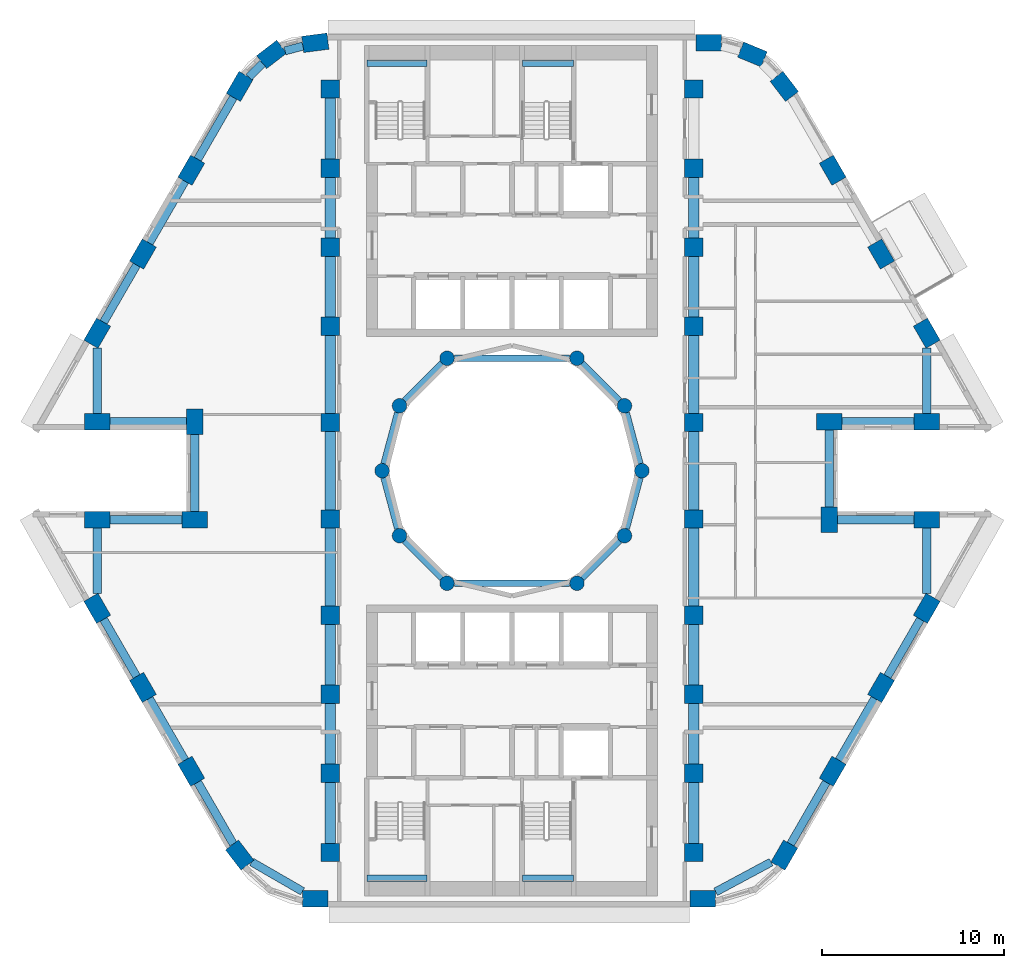
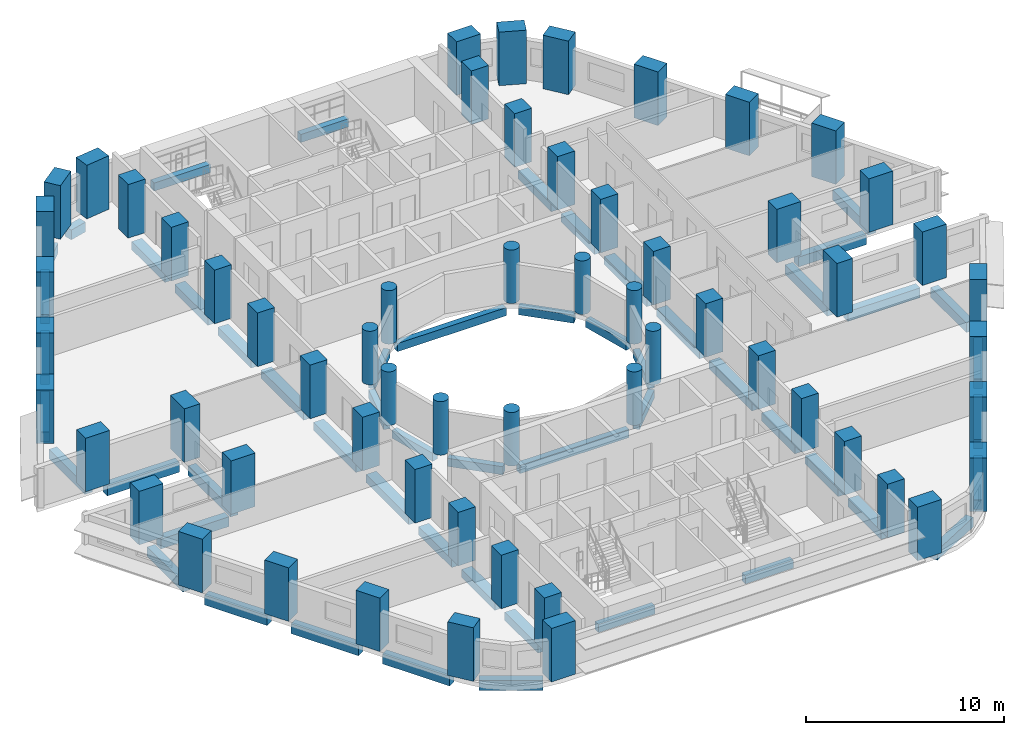
# One storey, part 1 of 13: 60 columns, 54 beams.
"""IFC4 building model written with IfcOpenShell, lengths in metres."""

from ifc_helpers import new_model, si_unit, direction, frame, origin, origin_2d, place, context, subcontext, project, spatial, rectangle, circle, extrude, material, material_profile, profile_set, type_object, element, save


model = new_model("IFC4")

# Units and contexts
model_context = context("Model", 3, precision=1e-05, world=origin(), true_north=direction((0.0, 1.0)))
body_context = subcontext(model_context, "Body", "Model", "MODEL_VIEW")
ifc_project = project(units=[si_unit("LENGTHUNIT", "METRE"), si_unit("AREAUNIT", "SQUARE_METRE"), si_unit("VOLUMEUNIT", "CUBIC_METRE"), si_unit("PLANEANGLEUNIT", "RADIAN"), si_unit("MASSUNIT", "GRAM", prefix="KILO")], contexts=[model_context])

# Site, building, storey
site_placement = place(None, origin())
site = spatial("IfcSite", under=ifc_project, at=site_placement, CompositionType="ELEMENT")
building_placement = place(site_placement, origin())
building = spatial("IfcBuilding", under=site, at=building_placement, Name="Nakaniwa Court", CompositionType="ELEMENT")
storey_placement = place(building_placement, frame((0.0, 0.0, 81.0)))
storey = spatial("IfcBuildingStorey", under=building, at=storey_placement, Name="L20", CompositionType="ELEMENT", Elevation=81.0)

# Columns
ifc_material = material(Name="Concrete C80/100", Category="concrete")
ifc_material_profile_1 = material_profile(ifc_material, rectangle(XDim=1.0, YDim=1.0, at=origin_2d()), Name="Concrete C80/100 RC 1000x1000 spine column")
ifc_profile_set_1 = profile_set([ifc_material_profile_1], Name="Concrete C80/100")
column_type_1 = type_object("IfcColumnType", Name="Concrete C80/100 RC 1000x1000 spine column", PredefinedType="COLUMN", material=ifc_profile_set_1)
for number, where, z_axis, x_axis, name in (
    (1, (90.0, 59.0, 0.0), (0.0, 0.0, 1.0), (0.0, 1.0, 0.0), "COLUMN CS-01"),
    (2, (90.0, 63.35009765625, 0.0), (0.0, 0.0, 1.0), (0.0, 1.0, 0.0), "COLUMN CS-02"),
    (3, (90.0, 67.699951171875, 0.0), (0.0, 0.0, 1.0), (0.0, 1.0, 0.0), "COLUMN CS-03"),
    (4, (90.0, 72.050048828125, 0.0), (0.0, 0.0, 1.0), (0.0, 1.0, 0.0), "COLUMN CS-04"),
    (5, (90.0, 77.35009765625, 0.0), (0.0, 0.0, 1.0), (0.0, 1.0, 0.0), "COLUMN CS-05"),
    (6, (90.0, 82.64990234375, 0.0), (0.0, 0.0, 1.0), (0.0, 1.0, 0.0), "COLUMN CS-06"),
    (7, (90.0, 87.949951171875, 0.0), (0.0, 0.0, 1.0), (0.0, 1.0, 0.0), "COLUMN CS-07"),
    (8, (90.0, 92.300048828125, 0.0), (0.0, 0.0, 1.0), (0.0, 1.0, 0.0), "COLUMN CS-08"),
    (9, (90.0, 96.64990234375, 0.0), (0.0, 0.0, 1.0), (0.0, 1.0, 0.0), "COLUMN CS-09"),
    (10, (90.0, 101.0, 0.0), (0.0, 0.0, 1.0), (0.0, 1.0, 0.0), "COLUMN CS-10"),
    (11, (70.0, 101.0, 0.0), (0.0, 0.0, 1.0), (0.0, -1.0, 0.0), "COLUMN CS-11"),
    (12, (70.0, 96.64990234375, 0.0), (0.0, 0.0, 1.0), (0.0, -1.0, 0.0), "COLUMN CS-12"),
    (13, (70.0, 92.300048828125, 0.0), (0.0, 0.0, 1.0), (0.0, -1.0, 0.0), "COLUMN CS-13"),
    (14, (70.0, 87.949951171875, 0.0), (0.0, 0.0, 1.0), (0.0, -1.0, 0.0), "COLUMN CS-14"),
    (15, (70.0, 82.64990234375, 0.0), (0.0, 0.0, 1.0), (0.0, -1.0, 0.0), "COLUMN CS-15"),
    (16, (70.0, 77.35009765625, 0.0), (0.0, 0.0, 1.0), (0.0, -1.0, 0.0), "COLUMN CS-16"),
    (17, (70.0, 72.050048828125, 0.0), (0.0, 0.0, 1.0), (0.0, -1.0, 0.0), "COLUMN CS-17"),
    (18, (70.0, 67.699951171875, 0.0), (0.0, 0.0, 1.0), (0.0, -1.0, 0.0), "COLUMN CS-18"),
    (19, (70.0, 63.35009765625, 0.0), (0.0, 0.0, 1.0), (0.0, -1.0, 0.0), "COLUMN CS-19"),
    (20, (70.0, 59.0, 0.0), (0.0, 0.0, 1.0), (0.0, -1.0, 0.0), "COLUMN CS-20"),
):
    element("IfcColumn", number, at=place(storey_placement, frame(where, z_axis=z_axis, x_axis=x_axis)), inside=storey, type_object=column_type_1, Name=name, PredefinedType="COLUMN", context=body_context, shape_type="SweptSolid", body=[
        extrude(rectangle(XDim=1.0, YDim=1.0, at=origin_2d()), origin(), (0.0, 0.0, 1.0), 3.300048828125),
    ])
ifc_material_profile_2 = material_profile(ifc_material, rectangle(XDim=1.39990234375, YDim=0.89990234375, at=origin_2d()), Name="Concrete C80/100 RC 1400x900 perimeter column")
ifc_profile_set_2 = profile_set([ifc_material_profile_2], Name="Concrete C80/100")
column_type_2 = type_object("IfcColumnType", Name="Concrete C80/100 RC 1400x900 perimeter column", PredefinedType="COLUMN", material=ifc_profile_set_2)
for number, where, z_axis, x_axis, name in (
    (21, (69.17529296875, 103.550048828125, 0.0), (0.0, 0.0, 1.0), (-0.991442583111, -0.130543496177, 0.0), "COLUMN CO-01"),
    (22, (66.772705078125, 102.91015625, 0.0), (0.0, 0.0, 1.0), (-0.793363965062, -0.608747582288, 0.0), "COLUMN CO-02"),
    (23, (65.017578125, 101.1494140625, 0.0), (0.0, 0.0, 1.0), (-0.5, -0.866025403784, 0.0), "COLUMN CO-03"),
    (24, (62.3544921875, 96.537109375, 0.0), (0.0, 0.0, 1.0), (-0.5, -0.866025403784, 0.0), "COLUMN CO-04"),
    (25, (59.691650390625, 91.9248046875, 0.0), (0.0, 0.0, 1.0), (-0.5, -0.866025403784, 0.0), "COLUMN CO-05"),
    (26, (57.177001953125, 87.569580078125, 0.0), (0.0, 0.0, 1.0), (-0.5, -0.866025403784, 0.0), "COLUMN CO-06"),
    (27, (57.177001953125, 82.699951171875, 0.0), (0.0, 0.0, 1.0), (1.0, 0.0, 0.0), "COLUMN CO-08"),
    (28, (62.54150390625, 82.699951171875, 0.0), (0.0, 0.0, 1.0), (0.0, -1.0, 0.0), "COLUMN CO-09"),
    (29, (62.54150390625, 77.300048828125, 0.0), (0.0, 0.0, 1.0), (-1.0, 0.0, 0.0), "COLUMN CO-10"),
    (30, (57.177001953125, 77.300048828125, 0.0), (0.0, 0.0, 1.0), (-1.0, 0.0, 0.0), "COLUMN CO-11"),
    (31, (57.177001953125, 72.430419921875, 0.0), (0.0, 0.0, 1.0), (0.5, -0.866025403784, 0.0), "COLUMN CO-13"),
    (32, (59.691650390625, 68.0751953125, 0.0), (0.0, 0.0, 1.0), (0.5, -0.866025403784, 0.0), "COLUMN CO-14"),
    (33, (62.3544921875, 63.462890625, 0.0), (0.0, 0.0, 1.0), (0.5, -0.866025403784, 0.0), "COLUMN CO-15"),
    (34, (65.017578125, 58.8505859375, 0.0), (0.0, 0.0, 1.0), (0.608761429009, -0.793353340291, 0.0), "COLUMN CO-16"),
    (35, (69.17529296875, 56.449951171875, 0.0), (0.0, 0.0, 1.0), (1.0, 0.0, 0.0), "COLUMN CO-17"),
    (36, (90.507080078125, 56.449951171875, 0.0), (0.0, 0.0, 1.0), (1.0, 0.0, 0.0), "COLUMN CO-21"),
    (37, (94.982421875, 58.8505859375, 0.0), (0.0, 0.0, 1.0), (0.5, 0.866025403784, 0.0), "COLUMN CO-22"),
    (38, (97.6455078125, 63.462890625, 0.0), (0.0, 0.0, 1.0), (0.5, 0.866025403784, 0.0), "COLUMN CO-23"),
    (39, (100.308349609375, 68.0751953125, 0.0), (0.0, 0.0, 1.0), (0.5, 0.866025403784, 0.0), "COLUMN CO-24"),
    (40, (102.822998046875, 72.430419921875, 0.0), (0.0, 0.0, 1.0), (0.5, 0.866025403784, 0.0), "COLUMN CO-25"),
    (41, (102.822998046875, 77.300048828125, 0.0), (0.0, 0.0, 1.0), (-1.0, 0.0, 0.0), "COLUMN CO-27"),
    (42, (97.45849609375, 77.300048828125, 0.0), (0.0, 0.0, 1.0), (0.0, 1.0, 0.0), "COLUMN CO-28"),
    (43, (97.45849609375, 82.699951171875, 0.0), (0.0, 0.0, 1.0), (1.0, 0.0, 0.0), "COLUMN CO-29"),
    (44, (102.822998046875, 82.699951171875, 0.0), (0.0, 0.0, 1.0), (1.0, 0.0, 0.0), "COLUMN CO-30"),
    (45, (102.822998046875, 87.569580078125, 0.0), (0.0, 0.0, 1.0), (-0.5, 0.866025403784, 0.0), "COLUMN CO-32"),
    (46, (100.308349609375, 91.9248046875, 0.0), (0.0, 0.0, 1.0), (-0.5, 0.866025403784, 0.0), "COLUMN CO-33"),
    (47, (97.6455078125, 96.537109375, 0.0), (0.0, 0.0, 1.0), (-0.5, 0.866025403784, 0.0), "COLUMN CO-34"),
    (48, (94.982421875, 101.1494140625, 0.0), (0.0, 0.0, 1.0), (-0.608761429009, 0.793353340291, 0.0), "COLUMN CO-35"),
    (49, (93.227294921875, 102.91015625, 0.0), (0.0, 0.0, 1.0), (-0.923879532511, 0.382683432365, 0.0), "COLUMN CO-36"),
    (50, (90.82470703125, 103.550048828125, 0.0), (0.0, 0.0, 1.0), (-1.0, 0.0, 0.0), "COLUMN CO-37"),
):
    element("IfcColumn", number, at=place(storey_placement, frame(where, z_axis=z_axis, x_axis=x_axis)), inside=storey, type_object=column_type_2, Name=name, PredefinedType="COLUMN", context=body_context, shape_type="SweptSolid", body=[
        extrude(rectangle(XDim=1.39990234375, YDim=0.89990234375, at=origin_2d()), origin(), (0.0, 0.0, 1.0), 3.300048828125),
    ])
ifc_material_profile_3 = material_profile(ifc_material, circle(Radius=0.39990234375, at=origin_2d()), Name="Concrete C80/100 RC D800 inner ring column")
ifc_profile_set_3 = profile_set([ifc_material_profile_3], Name="Concrete C80/100")
column_type_3 = type_object("IfcColumnType", Name="Concrete C80/100 RC D800 inner ring column", PredefinedType="COLUMN", material=ifc_profile_set_3)
for number, where, z_axis, x_axis, name in (
    (51, (87.14990234375, 80.0, 0.0), (0.0, 0.0, 1.0), (0.0, 1.0, 0.0), "COLUMN CI-01"),
    (52, (86.192138671875, 83.574951171875, 0.0), (0.0, 0.0, 1.0), (-0.5, 0.866025403784, 0.0), "COLUMN CI-02"),
    (53, (83.574951171875, 86.192138671875, 0.0), (0.0, 0.0, 1.0), (-0.866025403784, 0.5, 0.0), "COLUMN CI-03"),
    (54, (76.425048828125, 86.192138671875, 0.0), (0.0, 0.0, 1.0), (-0.866025403784, -0.5, 0.0), "COLUMN CI-05"),
    (55, (73.807861328125, 83.574951171875, 0.0), (0.0, 0.0, 1.0), (-0.5, -0.866025403784, 0.0), "COLUMN CI-06"),
    (56, (72.85009765625, 80.0, 0.0), (0.0, 0.0, 1.0), (0.0, -1.0, 0.0), "COLUMN CI-07"),
    (57, (73.807861328125, 76.425048828125, 0.0), (0.0, 0.0, 1.0), (0.5, -0.866025403784, 0.0), "COLUMN CI-08"),
    (58, (76.425048828125, 73.807861328125, 0.0), (0.0, 0.0, 1.0), (0.866025403784, -0.5, 0.0), "COLUMN CI-09"),
    (59, (83.574951171875, 73.807861328125, 0.0), (0.0, 0.0, 1.0), (0.866025403784, 0.5, 0.0), "COLUMN CI-11"),
    (60, (86.192138671875, 76.425048828125, 0.0), (0.0, 0.0, 1.0), (0.5, 0.866025403784, 0.0), "COLUMN CI-12"),
):
    element("IfcColumn", number, at=place(storey_placement, frame(where, z_axis=z_axis, x_axis=x_axis)), inside=storey, type_object=column_type_3, Name=name, PredefinedType="COLUMN", context=body_context, shape_type="SweptSolid", body=[
        extrude(circle(Radius=0.39990234375, at=origin_2d()), origin(), (0.0, 0.0, 1.0), 3.300048828125),
    ])

# Beams
ifc_material_profile_4 = material_profile(ifc_material, rectangle(XDim=0.35009765625, YDim=0.5, at=origin_2d()), Name="Concrete C80/100 RC 350x500 landing ledge beam")
ifc_profile_set_4 = profile_set([ifc_material_profile_4], Name="Concrete C80/100")
beam_type_1 = type_object("IfcBeamType", Name="Concrete C80/100 RC 350x500 landing ledge beam", PredefinedType="BEAM", material=ifc_profile_set_4)
beam_1_placement = place(storey_placement, frame((72.02490234375, 102.425048828125, 1.199951171875), z_axis=(1.0, 0.0, 0.0), x_axis=(0.0, 1.0, 0.0)))
element("IfcBeam", 61, at=beam_1_placement, inside=storey, type_object=beam_type_1, Name="LANDING LEDGE BEAM", PredefinedType="BEAM", context=body_context, shape_type="SweptSolid", body=[
    extrude(rectangle(XDim=0.35009765625, YDim=0.5, at=origin_2d()), origin(), (0.0, 0.0, 1.0), 3.300048828125),
])
beam_2_placement = place(storey_placement, frame((80.574951171875, 102.425048828125, 1.199951171875), z_axis=(1.0, 0.0, 0.0), x_axis=(0.0, 1.0, 0.0)))
element("IfcBeam", 62, at=beam_2_placement, inside=storey, type_object=beam_type_1, Name="LANDING LEDGE BEAM", PredefinedType="BEAM", context=body_context, shape_type="SweptSolid", body=[
    extrude(rectangle(XDim=0.35009765625, YDim=0.5, at=origin_2d()), origin(), (0.0, 0.0, 1.0), 2.800048828125),
])
beam_3_placement = place(storey_placement, frame((72.02490234375, 57.574951171875, 1.199951171875), z_axis=(1.0, 0.0, 0.0), x_axis=(0.0, 1.0, 0.0)))
element("IfcBeam", 63, at=beam_3_placement, inside=storey, type_object=beam_type_1, Name="LANDING LEDGE BEAM", PredefinedType="BEAM", context=body_context, shape_type="SweptSolid", body=[
    extrude(rectangle(XDim=0.35009765625, YDim=0.5, at=origin_2d()), origin(), (0.0, 0.0, 1.0), 3.300048828125),
])
beam_4_placement = place(storey_placement, frame((80.574951171875, 57.574951171875, 1.199951171875), z_axis=(1.0, 0.0, 0.0), x_axis=(0.0, 1.0, 0.0)))
element("IfcBeam", 64, at=beam_4_placement, inside=storey, type_object=beam_type_1, Name="LANDING LEDGE BEAM", PredefinedType="BEAM", context=body_context, shape_type="SweptSolid", body=[
    extrude(rectangle(XDim=0.35009765625, YDim=0.5, at=origin_2d()), origin(), (0.0, 0.0, 1.0), 2.800048828125),
])
ifc_material_profile_5 = material_profile(ifc_material, rectangle(XDim=0.35009765625, YDim=0.5, at=origin_2d()), Name="Concrete C80/100 RC 350x500 ring beam")
ifc_profile_set_5 = profile_set([ifc_material_profile_5], Name="Concrete C80/100")
beam_type_2 = type_object("IfcBeamType", Name="Concrete C80/100 RC 350x500 ring beam", PredefinedType="BEAM", material=ifc_profile_set_5)
beam_5_placement = place(storey_placement, frame((87.04638671875, 80.386474609375, -0.52490234375), z_axis=(-0.258778150207, 0.965936783115, 0.0), x_axis=(-0.965936783115, -0.258778150207, 0.0)))
element("IfcBeam", 65, at=beam_5_placement, inside=storey, type_object=beam_type_2, Name="RING BEAM", PredefinedType="BEAM", context=body_context, shape_type="SweptSolid", body=[
    extrude(rectangle(XDim=0.35009765625, YDim=0.5, at=origin_2d()), origin(), (0.0, 0.0, 1.0), 2.901123046875),
])
beam_6_placement = place(storey_placement, frame((85.9091796875, 83.85791015625, -0.52490234375), z_axis=(-0.707106781187, 0.707106781187, 0.0), x_axis=(-0.707106781187, -0.707106781187, 0.0)))
element("IfcBeam", 66, at=beam_6_placement, inside=storey, type_object=beam_type_2, Name="RING BEAM", PredefinedType="BEAM", context=body_context, shape_type="SweptSolid", body=[
    extrude(rectangle(XDim=0.35009765625, YDim=0.5, at=origin_2d()), origin(), (0.0, 0.0, 1.0), 2.90087890625),
])
beam_7_placement = place(storey_placement, frame((83.175048828125, 86.192138671875, -0.52490234375), z_axis=(-1.0, 0.0, 0.0), x_axis=(0.0, -1.0, 0.0)))
element("IfcBeam", 67, at=beam_7_placement, inside=storey, type_object=beam_type_2, Name="RING BEAM", PredefinedType="BEAM", context=body_context, shape_type="SweptSolid", body=[
    extrude(rectangle(XDim=0.35009765625, YDim=0.5, at=origin_2d()), origin(), (0.0, 0.0, 1.0), 6.35009765625),
])
beam_8_placement = place(storey_placement, frame((76.14208984375, 85.9091796875, -0.52490234375), z_axis=(-0.707106781187, -0.707106781187, 0.0), x_axis=(0.707106781187, -0.707106781187, 0.0)))
element("IfcBeam", 68, at=beam_8_placement, inside=storey, type_object=beam_type_2, Name="RING BEAM", PredefinedType="BEAM", context=body_context, shape_type="SweptSolid", body=[
    extrude(rectangle(XDim=0.35009765625, YDim=0.5, at=origin_2d()), origin(), (0.0, 0.0, 1.0), 2.90087890625),
])
for number, where, z_axis, x_axis, name in (
    (69, (73.704345703125, 83.188720703125, -0.52490234375), (-0.258778150207, -0.965936783115, 0.0), (0.965936783115, -0.258778150207, 0.0), "RING BEAM"),
    (70, (72.95361328125, 79.613525390625, -0.52490234375), (0.258778150207, -0.965936783115, 0.0), (0.965936783115, 0.258778150207, 0.0), "RING BEAM"),
):
    element("IfcBeam", number, at=place(storey_placement, frame(where, z_axis=z_axis, x_axis=x_axis)), inside=storey, type_object=beam_type_2, Name=name, PredefinedType="BEAM", context=body_context, shape_type="SweptSolid", body=[
        extrude(rectangle(XDim=0.35009765625, YDim=0.5, at=origin_2d()), origin(), (0.0, 0.0, 1.0), 2.901123046875),
    ])
beam_9_placement = place(storey_placement, frame((74.0908203125, 76.14208984375, -0.52490234375), z_axis=(0.707106781187, -0.707106781187, 0.0), x_axis=(0.707106781187, 0.707106781187, 0.0)))
element("IfcBeam", 71, at=beam_9_placement, inside=storey, type_object=beam_type_2, Name="RING BEAM", PredefinedType="BEAM", context=body_context, shape_type="SweptSolid", body=[
    extrude(rectangle(XDim=0.35009765625, YDim=0.5, at=origin_2d()), origin(), (0.0, 0.0, 1.0), 2.90087890625),
])
beam_10_placement = place(storey_placement, frame((76.824951171875, 73.807861328125, -0.52490234375), z_axis=(1.0, 0.0, 0.0), x_axis=(0.0, 1.0, 0.0)))
element("IfcBeam", 72, at=beam_10_placement, inside=storey, type_object=beam_type_2, Name="RING BEAM", PredefinedType="BEAM", context=body_context, shape_type="SweptSolid", body=[
    extrude(rectangle(XDim=0.35009765625, YDim=0.5, at=origin_2d()), origin(), (0.0, 0.0, 1.0), 6.35009765625),
])
beam_11_placement = place(storey_placement, frame((83.85791015625, 74.0908203125, -0.52490234375), z_axis=(0.707106781187, 0.707106781187, 0.0), x_axis=(-0.707106781187, 0.707106781187, 0.0)))
element("IfcBeam", 73, at=beam_11_placement, inside=storey, type_object=beam_type_2, Name="RING BEAM", PredefinedType="BEAM", context=body_context, shape_type="SweptSolid", body=[
    extrude(rectangle(XDim=0.35009765625, YDim=0.5, at=origin_2d()), origin(), (0.0, 0.0, 1.0), 2.90087890625),
])
beam_12_placement = place(storey_placement, frame((86.295654296875, 76.811279296875, -0.52490234375), z_axis=(0.258778150207, 0.965936783115, 0.0), x_axis=(-0.965936783115, 0.258778150207, 0.0)))
element("IfcBeam", 74, at=beam_12_placement, inside=storey, type_object=beam_type_2, Name="RING BEAM", PredefinedType="BEAM", context=body_context, shape_type="SweptSolid", body=[
    extrude(rectangle(XDim=0.35009765625, YDim=0.5, at=origin_2d()), origin(), (0.0, 0.0, 1.0), 2.901123046875),
])
ifc_material_profile_6 = material_profile(ifc_material, rectangle(XDim=0.449951171875, YDim=0.60009765625, at=origin_2d()), Name="Concrete C80/100 RC 450x600 spandrel beam")
ifc_profile_set_6 = profile_set([ifc_material_profile_6], Name="Concrete C80/100")
beam_type_3 = type_object("IfcBeamType", Name="Concrete C80/100 RC 450x600 spandrel beam", PredefinedType="BEAM", material=ifc_profile_set_6)
beam_13_placement = place(storey_placement, frame((68.4931640625, 103.368408203125, -0.574951171875), z_axis=(-0.966290412053, -0.257454538851, 0.0), x_axis=(0.257454538851, -0.966290412053, 0.0)))
element("IfcBeam", 75, at=beam_13_placement, inside=storey, type_object=beam_type_3, Name="SPANDREL BEAM", PredefinedType="BEAM", context=body_context, shape_type="SweptSolid", body=[
    extrude(rectangle(XDim=0.449951171875, YDim=0.60009765625, at=origin_2d()), origin(), (0.0, 0.0, 1.0), 1.022216796875),
])
beam_14_placement = place(storey_placement, frame((66.274169921875, 102.41015625, -0.574951171875), z_axis=(-0.70606530329, -0.708146727374, 0.0), x_axis=(0.708146727374, -0.70606530329, 0.0)))
element("IfcBeam", 76, at=beam_14_placement, inside=storey, type_object=beam_type_3, Name="SPANDREL BEAM", PredefinedType="BEAM", context=body_context, shape_type="SweptSolid", body=[
    extrude(rectangle(XDim=0.449951171875, YDim=0.60009765625, at=origin_2d()), origin(), (0.0, 0.0, 1.0), 1.0556640625),
])
for number, where, z_axis, x_axis, name in (
    (77, (64.66748046875, 100.543212890625, -0.574951171875), (-0.49999161165, -0.866030246746, 0.0), (0.866030246746, -0.49999161165, 0.0), "SPANDREL BEAM"),
    (78, (62.00439453125, 95.930908203125, -0.574951171875), (-0.49999161165, -0.866030246746, 0.0), (0.866030246746, -0.49999161165, 0.0), "SPANDREL BEAM"),
):
    element("IfcBeam", number, at=place(storey_placement, frame(where, z_axis=z_axis, x_axis=x_axis)), inside=storey, type_object=beam_type_3, Name=name, PredefinedType="BEAM", context=body_context, shape_type="SweptSolid", body=[
        extrude(rectangle(XDim=0.449951171875, YDim=0.60009765625, at=origin_2d()), origin(), (0.0, 0.0, 1.0), 3.92578125),
    ])
beam_15_placement = place(storey_placement, frame((59.341552734375, 91.318603515625, -0.574951171875), z_axis=(-0.499988394233, -0.866032104273, 0.0), x_axis=(0.866032104273, -0.499988394233, 0.0)))
element("IfcBeam", 79, at=beam_15_placement, inside=storey, type_object=beam_type_3, Name="SPANDREL BEAM", PredefinedType="BEAM", context=body_context, shape_type="SweptSolid", body=[
    extrude(rectangle(XDim=0.449951171875, YDim=0.60009765625, at=origin_2d()), origin(), (0.0, 0.0, 1.0), 3.62890625),
])
beam_16_placement = place(storey_placement, frame((57.177001953125, 86.761474609375, -0.574951171875), z_axis=(0.0, -1.0, 0.0), x_axis=(1.0, 0.0, 0.0)))
element("IfcBeam", 80, at=beam_16_placement, inside=storey, type_object=beam_type_3, Name="SPANDREL BEAM", PredefinedType="BEAM", context=body_context, shape_type="SweptSolid", body=[
    extrude(rectangle(XDim=0.449951171875, YDim=0.60009765625, at=origin_2d()), origin(), (0.0, 0.0, 1.0), 3.611572265625),
])
beam_17_placement = place(storey_placement, frame((57.877197265625, 82.699951171875, -0.574951171875), z_axis=(1.0, 0.0, 0.0), x_axis=(0.0, 1.0, 0.0)))
element("IfcBeam", 81, at=beam_17_placement, inside=storey, type_object=beam_type_3, Name="SPANDREL BEAM", PredefinedType="BEAM", context=body_context, shape_type="SweptSolid", body=[
    extrude(rectangle(XDim=0.449951171875, YDim=0.60009765625, at=origin_2d()), origin(), (0.0, 0.0, 1.0), 4.21435546875),
])
beam_18_placement = place(storey_placement, frame((62.54150390625, 82.0, -0.574951171875), z_axis=(0.0, -1.0, 0.0), x_axis=(1.0, 0.0, 0.0)))
element("IfcBeam", 82, at=beam_18_placement, inside=storey, type_object=beam_type_3, Name="SPANDREL BEAM", PredefinedType="BEAM", context=body_context, shape_type="SweptSolid", body=[
    extrude(rectangle(XDim=0.449951171875, YDim=0.60009765625, at=origin_2d()), origin(), (0.0, 0.0, 1.0), 4.25),
])
beam_19_placement = place(storey_placement, frame((61.841552734375, 77.300048828125, -0.574951171875), z_axis=(-1.0, 0.0, 0.0), x_axis=(0.0, -1.0, 0.0)))
element("IfcBeam", 83, at=beam_19_placement, inside=storey, type_object=beam_type_3, Name="SPANDREL BEAM", PredefinedType="BEAM", context=body_context, shape_type="SweptSolid", body=[
    extrude(rectangle(XDim=0.449951171875, YDim=0.60009765625, at=origin_2d()), origin(), (0.0, 0.0, 1.0), 3.96435546875),
])
beam_20_placement = place(storey_placement, frame((57.177001953125, 76.85009765625, -0.574951171875), z_axis=(0.0, -1.0, 0.0), x_axis=(1.0, 0.0, 0.0)))
element("IfcBeam", 84, at=beam_20_placement, inside=storey, type_object=beam_type_3, Name="SPANDREL BEAM", PredefinedType="BEAM", context=body_context, shape_type="SweptSolid", body=[
    extrude(rectangle(XDim=0.449951171875, YDim=0.60009765625, at=origin_2d()), origin(), (0.0, 0.0, 1.0), 3.611572265625),
])
beam_21_placement = place(storey_placement, frame((57.527099609375, 71.82421875, -0.574951171875), z_axis=(0.499988394233, -0.866032104273, 0.0), x_axis=(0.866032104273, 0.499988394233, 0.0)))
element("IfcBeam", 85, at=beam_21_placement, inside=storey, type_object=beam_type_3, Name="SPANDREL BEAM", PredefinedType="BEAM", context=body_context, shape_type="SweptSolid", body=[
    extrude(rectangle(XDim=0.449951171875, YDim=0.60009765625, at=origin_2d()), origin(), (0.0, 0.0, 1.0), 3.62890625),
])
beam_22_placement = place(storey_placement, frame((60.04150390625, 67.468994140625, -0.574951171875), z_axis=(0.49999161165, -0.866030246746, 0.0), x_axis=(0.866030246746, 0.49999161165, 0.0)))
element("IfcBeam", 86, at=beam_22_placement, inside=storey, type_object=beam_type_3, Name="SPANDREL BEAM", PredefinedType="BEAM", context=body_context, shape_type="SweptSolid", body=[
    extrude(rectangle(XDim=0.449951171875, YDim=0.60009765625, at=origin_2d()), origin(), (0.0, 0.0, 1.0), 3.92578125),
])
beam_23_placement = place(storey_placement, frame((62.70458984375, 62.856689453125, -0.574951171875), z_axis=(0.499997407846, -0.86602690036, 0.0), x_axis=(0.86602690036, 0.499997407846, 0.0)))
element("IfcBeam", 87, at=beam_23_placement, inside=storey, type_object=beam_type_3, Name="SPANDREL BEAM", PredefinedType="BEAM", context=body_context, shape_type="SweptSolid", body=[
    extrude(rectangle(XDim=0.449951171875, YDim=0.60009765625, at=origin_2d()), origin(), (0.0, 0.0, 1.0), 3.919921875),
])
beam_24_placement = place(storey_placement, frame((65.673583984375, 58.4716796875, -0.574951171875), z_axis=(0.866014675542, -0.5000185814, 0.0), x_axis=(0.5000185814, 0.866014675542, 0.0)))
element("IfcBeam", 88, at=beam_24_placement, inside=storey, type_object=beam_type_3, Name="SPANDREL BEAM", PredefinedType="BEAM", context=body_context, shape_type="SweptSolid", body=[
    extrude(rectangle(XDim=0.449951171875, YDim=0.60009765625, at=origin_2d()), origin(), (0.0, 0.0, 1.0), 3.2353515625),
])
beam_25_placement = place(storey_placement, frame((91.20703125, 56.825439453125, -0.574951171875), z_axis=(0.881233381314, 0.472681423009, 0.0), x_axis=(-0.472681423009, 0.881233381314, 0.0)))
element("IfcBeam", 89, at=beam_25_placement, inside=storey, type_object=beam_type_3, Name="SPANDREL BEAM", PredefinedType="BEAM", context=body_context, shape_type="SweptSolid", body=[
    extrude(rectangle(XDim=0.449951171875, YDim=0.60009765625, at=origin_2d()), origin(), (0.0, 0.0, 1.0), 3.46044921875),
])
for number, where, z_axis, x_axis, name in (
    (90, (95.33251953125, 59.456787109375, -0.574951171875), (0.49999161165, 0.866030246746, 0.0), (-0.866030246746, 0.49999161165, 0.0), "SPANDREL BEAM"),
    (91, (97.99560546875, 64.069091796875, -0.574951171875), (0.49999161165, 0.866030246746, 0.0), (-0.866030246746, 0.49999161165, 0.0), "SPANDREL BEAM"),
):
    element("IfcBeam", number, at=place(storey_placement, frame(where, z_axis=z_axis, x_axis=x_axis)), inside=storey, type_object=beam_type_3, Name=name, PredefinedType="BEAM", context=body_context, shape_type="SweptSolid", body=[
        extrude(rectangle(XDim=0.449951171875, YDim=0.60009765625, at=origin_2d()), origin(), (0.0, 0.0, 1.0), 3.92578125),
    ])
beam_26_placement = place(storey_placement, frame((100.658447265625, 68.681396484375, -0.574951171875), z_axis=(0.499988394233, 0.866032104273, 0.0), x_axis=(-0.866032104273, 0.499988394233, 0.0)))
element("IfcBeam", 92, at=beam_26_placement, inside=storey, type_object=beam_type_3, Name="SPANDREL BEAM", PredefinedType="BEAM", context=body_context, shape_type="SweptSolid", body=[
    extrude(rectangle(XDim=0.449951171875, YDim=0.60009765625, at=origin_2d()), origin(), (0.0, 0.0, 1.0), 3.62890625),
])
beam_27_placement = place(storey_placement, frame((102.822998046875, 73.238525390625, -0.574951171875), z_axis=(0.0, 1.0, 0.0), x_axis=(-1.0, 0.0, 0.0)))
element("IfcBeam", 93, at=beam_27_placement, inside=storey, type_object=beam_type_3, Name="SPANDREL BEAM", PredefinedType="BEAM", context=body_context, shape_type="SweptSolid", body=[
    extrude(rectangle(XDim=0.449951171875, YDim=0.60009765625, at=origin_2d()), origin(), (0.0, 0.0, 1.0), 3.611572265625),
])
beam_28_placement = place(storey_placement, frame((102.122802734375, 77.300048828125, -0.574951171875), z_axis=(-1.0, 0.0, 0.0), x_axis=(0.0, -1.0, 0.0)))
element("IfcBeam", 94, at=beam_28_placement, inside=storey, type_object=beam_type_3, Name="SPANDREL BEAM", PredefinedType="BEAM", context=body_context, shape_type="SweptSolid", body=[
    extrude(rectangle(XDim=0.449951171875, YDim=0.60009765625, at=origin_2d()), origin(), (0.0, 0.0, 1.0), 4.21435546875),
])
beam_29_placement = place(storey_placement, frame((97.45849609375, 78.0, -0.574951171875), z_axis=(0.0, 1.0, 0.0), x_axis=(-1.0, 0.0, 0.0)))
element("IfcBeam", 95, at=beam_29_placement, inside=storey, type_object=beam_type_3, Name="SPANDREL BEAM", PredefinedType="BEAM", context=body_context, shape_type="SweptSolid", body=[
    extrude(rectangle(XDim=0.449951171875, YDim=0.60009765625, at=origin_2d()), origin(), (0.0, 0.0, 1.0), 4.25),
])
beam_30_placement = place(storey_placement, frame((98.158447265625, 82.699951171875, -0.574951171875), z_axis=(1.0, 0.0, 0.0), x_axis=(0.0, 1.0, 0.0)))
element("IfcBeam", 96, at=beam_30_placement, inside=storey, type_object=beam_type_3, Name="SPANDREL BEAM", PredefinedType="BEAM", context=body_context, shape_type="SweptSolid", body=[
    extrude(rectangle(XDim=0.449951171875, YDim=0.60009765625, at=origin_2d()), origin(), (0.0, 0.0, 1.0), 3.96435546875),
])
beam_31_placement = place(storey_placement, frame((102.822998046875, 83.14990234375, -0.574951171875), z_axis=(0.0, 1.0, 0.0), x_axis=(-1.0, 0.0, 0.0)))
element("IfcBeam", 97, at=beam_31_placement, inside=storey, type_object=beam_type_3, Name="SPANDREL BEAM", PredefinedType="BEAM", context=body_context, shape_type="SweptSolid", body=[
    extrude(rectangle(XDim=0.449951171875, YDim=0.60009765625, at=origin_2d()), origin(), (0.0, 0.0, 1.0), 3.611572265625),
])
ifc_material_profile_7 = material_profile(ifc_material, rectangle(XDim=0.60009765625, YDim=0.5, at=origin_2d()), Name="Concrete C80/100 RC 600x500 ring beam")
ifc_profile_set_7 = profile_set([ifc_material_profile_7], Name="Concrete C80/100")
beam_type_4 = type_object("IfcBeamType", Name="Concrete C80/100 RC 600x500 ring beam", PredefinedType="BEAM", material=ifc_profile_set_7)
beam_32_placement = place(storey_placement, frame((90.0, 59.5, -0.52490234375), z_axis=(0.0, 1.0, 0.0), x_axis=(-1.0, 0.0, 0.0)))
element("IfcBeam", 98, at=beam_32_placement, inside=storey, type_object=beam_type_4, Name="RING BEAM", PredefinedType="BEAM", context=body_context, shape_type="SweptSolid", body=[
    extrude(rectangle(XDim=0.60009765625, YDim=0.5, at=origin_2d()), origin(), (0.0, 0.0, 1.0), 3.35009765625),
])
beam_33_placement = place(storey_placement, frame((90.0, 63.85009765625, -0.52490234375), z_axis=(0.0, 1.0, 0.0), x_axis=(-1.0, 0.0, 0.0)))
element("IfcBeam", 99, at=beam_33_placement, inside=storey, type_object=beam_type_4, Name="RING BEAM", PredefinedType="BEAM", context=body_context, shape_type="SweptSolid", body=[
    extrude(rectangle(XDim=0.60009765625, YDim=0.5, at=origin_2d()), origin(), (0.0, 0.0, 1.0), 3.349853515625),
])
beam_34_placement = place(storey_placement, frame((90.0, 68.199951171875, -0.52490234375), z_axis=(0.0, 1.0, 0.0), x_axis=(-1.0, 0.0, 0.0)))
element("IfcBeam", 100, at=beam_34_placement, inside=storey, type_object=beam_type_4, Name="RING BEAM", PredefinedType="BEAM", context=body_context, shape_type="SweptSolid", body=[
    extrude(rectangle(XDim=0.60009765625, YDim=0.5, at=origin_2d()), origin(), (0.0, 0.0, 1.0), 3.35009765625),
])
beam_35_placement = place(storey_placement, frame((90.0, 72.550048828125, -0.52490234375), z_axis=(0.0, 1.0, 0.0), x_axis=(-1.0, 0.0, 0.0)))
element("IfcBeam", 101, at=beam_35_placement, inside=storey, type_object=beam_type_4, Name="RING BEAM", PredefinedType="BEAM", context=body_context, shape_type="SweptSolid", body=[
    extrude(rectangle(XDim=0.60009765625, YDim=0.5, at=origin_2d()), origin(), (0.0, 0.0, 1.0), 4.300048828125),
])
beam_36_placement = place(storey_placement, frame((90.0, 77.85009765625, -0.52490234375), z_axis=(0.0, 1.0, 0.0), x_axis=(-1.0, 0.0, 0.0)))
element("IfcBeam", 102, at=beam_36_placement, inside=storey, type_object=beam_type_4, Name="RING BEAM", PredefinedType="BEAM", context=body_context, shape_type="SweptSolid", body=[
    extrude(rectangle(XDim=0.60009765625, YDim=0.5, at=origin_2d()), origin(), (0.0, 0.0, 1.0), 4.2998046875),
])
beam_37_placement = place(storey_placement, frame((90.0, 83.14990234375, -0.52490234375), z_axis=(0.0, 1.0, 0.0), x_axis=(-1.0, 0.0, 0.0)))
element("IfcBeam", 103, at=beam_37_placement, inside=storey, type_object=beam_type_4, Name="RING BEAM", PredefinedType="BEAM", context=body_context, shape_type="SweptSolid", body=[
    extrude(rectangle(XDim=0.60009765625, YDim=0.5, at=origin_2d()), origin(), (0.0, 0.0, 1.0), 4.300048828125),
])
beam_38_placement = place(storey_placement, frame((90.0, 88.449951171875, -0.52490234375), z_axis=(0.0, 1.0, 0.0), x_axis=(-1.0, 0.0, 0.0)))
element("IfcBeam", 104, at=beam_38_placement, inside=storey, type_object=beam_type_4, Name="RING BEAM", PredefinedType="BEAM", context=body_context, shape_type="SweptSolid", body=[
    extrude(rectangle(XDim=0.60009765625, YDim=0.5, at=origin_2d()), origin(), (0.0, 0.0, 1.0), 3.35009765625),
])
beam_39_placement = place(storey_placement, frame((90.0, 92.800048828125, -0.52490234375), z_axis=(0.0, 1.0, 0.0), x_axis=(-1.0, 0.0, 0.0)))
element("IfcBeam", 105, at=beam_39_placement, inside=storey, type_object=beam_type_4, Name="RING BEAM", PredefinedType="BEAM", context=body_context, shape_type="SweptSolid", body=[
    extrude(rectangle(XDim=0.60009765625, YDim=0.5, at=origin_2d()), origin(), (0.0, 0.0, 1.0), 3.349853515625),
])
beam_40_placement = place(storey_placement, frame((70.0, 100.5, -0.52490234375), z_axis=(0.0, -1.0, 0.0), x_axis=(1.0, 0.0, 0.0)))
element("IfcBeam", 106, at=beam_40_placement, inside=storey, type_object=beam_type_4, Name="RING BEAM", PredefinedType="BEAM", context=body_context, shape_type="SweptSolid", body=[
    extrude(rectangle(XDim=0.60009765625, YDim=0.5, at=origin_2d()), origin(), (0.0, 0.0, 1.0), 3.35009765625),
])
beam_41_placement = place(storey_placement, frame((70.0, 96.14990234375, -0.52490234375), z_axis=(0.0, -1.0, 0.0), x_axis=(1.0, 0.0, 0.0)))
element("IfcBeam", 107, at=beam_41_placement, inside=storey, type_object=beam_type_4, Name="RING BEAM", PredefinedType="BEAM", context=body_context, shape_type="SweptSolid", body=[
    extrude(rectangle(XDim=0.60009765625, YDim=0.5, at=origin_2d()), origin(), (0.0, 0.0, 1.0), 3.349853515625),
])
beam_42_placement = place(storey_placement, frame((70.0, 91.800048828125, -0.52490234375), z_axis=(0.0, -1.0, 0.0), x_axis=(1.0, 0.0, 0.0)))
element("IfcBeam", 108, at=beam_42_placement, inside=storey, type_object=beam_type_4, Name="RING BEAM", PredefinedType="BEAM", context=body_context, shape_type="SweptSolid", body=[
    extrude(rectangle(XDim=0.60009765625, YDim=0.5, at=origin_2d()), origin(), (0.0, 0.0, 1.0), 3.35009765625),
])
beam_43_placement = place(storey_placement, frame((70.0, 87.449951171875, -0.52490234375), z_axis=(0.0, -1.0, 0.0), x_axis=(1.0, 0.0, 0.0)))
element("IfcBeam", 109, at=beam_43_placement, inside=storey, type_object=beam_type_4, Name="RING BEAM", PredefinedType="BEAM", context=body_context, shape_type="SweptSolid", body=[
    extrude(rectangle(XDim=0.60009765625, YDim=0.5, at=origin_2d()), origin(), (0.0, 0.0, 1.0), 4.300048828125),
])
beam_44_placement = place(storey_placement, frame((70.0, 82.14990234375, -0.52490234375), z_axis=(0.0, -1.0, 0.0), x_axis=(1.0, 0.0, 0.0)))
element("IfcBeam", 110, at=beam_44_placement, inside=storey, type_object=beam_type_4, Name="RING BEAM", PredefinedType="BEAM", context=body_context, shape_type="SweptSolid", body=[
    extrude(rectangle(XDim=0.60009765625, YDim=0.5, at=origin_2d()), origin(), (0.0, 0.0, 1.0), 4.2998046875),
])
beam_45_placement = place(storey_placement, frame((70.0, 76.85009765625, -0.52490234375), z_axis=(0.0, -1.0, 0.0), x_axis=(1.0, 0.0, 0.0)))
element("IfcBeam", 111, at=beam_45_placement, inside=storey, type_object=beam_type_4, Name="RING BEAM", PredefinedType="BEAM", context=body_context, shape_type="SweptSolid", body=[
    extrude(rectangle(XDim=0.60009765625, YDim=0.5, at=origin_2d()), origin(), (0.0, 0.0, 1.0), 4.300048828125),
])
beam_46_placement = place(storey_placement, frame((70.0, 71.550048828125, -0.52490234375), z_axis=(0.0, -1.0, 0.0), x_axis=(1.0, 0.0, 0.0)))
element("IfcBeam", 112, at=beam_46_placement, inside=storey, type_object=beam_type_4, Name="RING BEAM", PredefinedType="BEAM", context=body_context, shape_type="SweptSolid", body=[
    extrude(rectangle(XDim=0.60009765625, YDim=0.5, at=origin_2d()), origin(), (0.0, 0.0, 1.0), 3.35009765625),
])
beam_47_placement = place(storey_placement, frame((70.0, 67.199951171875, -0.52490234375), z_axis=(0.0, -1.0, 0.0), x_axis=(1.0, 0.0, 0.0)))
element("IfcBeam", 113, at=beam_47_placement, inside=storey, type_object=beam_type_4, Name="RING BEAM", PredefinedType="BEAM", context=body_context, shape_type="SweptSolid", body=[
    extrude(rectangle(XDim=0.60009765625, YDim=0.5, at=origin_2d()), origin(), (0.0, 0.0, 1.0), 3.349853515625),
])
beam_48_placement = place(storey_placement, frame((70.0, 62.85009765625, -0.52490234375), z_axis=(0.0, -1.0, 0.0), x_axis=(1.0, 0.0, 0.0)))
element("IfcBeam", 114, at=beam_48_placement, inside=storey, type_object=beam_type_4, Name="RING BEAM", PredefinedType="BEAM", context=body_context, shape_type="SweptSolid", body=[
    extrude(rectangle(XDim=0.60009765625, YDim=0.5, at=origin_2d()), origin(), (0.0, 0.0, 1.0), 3.35009765625),
])

save(model, "model.ifc")
